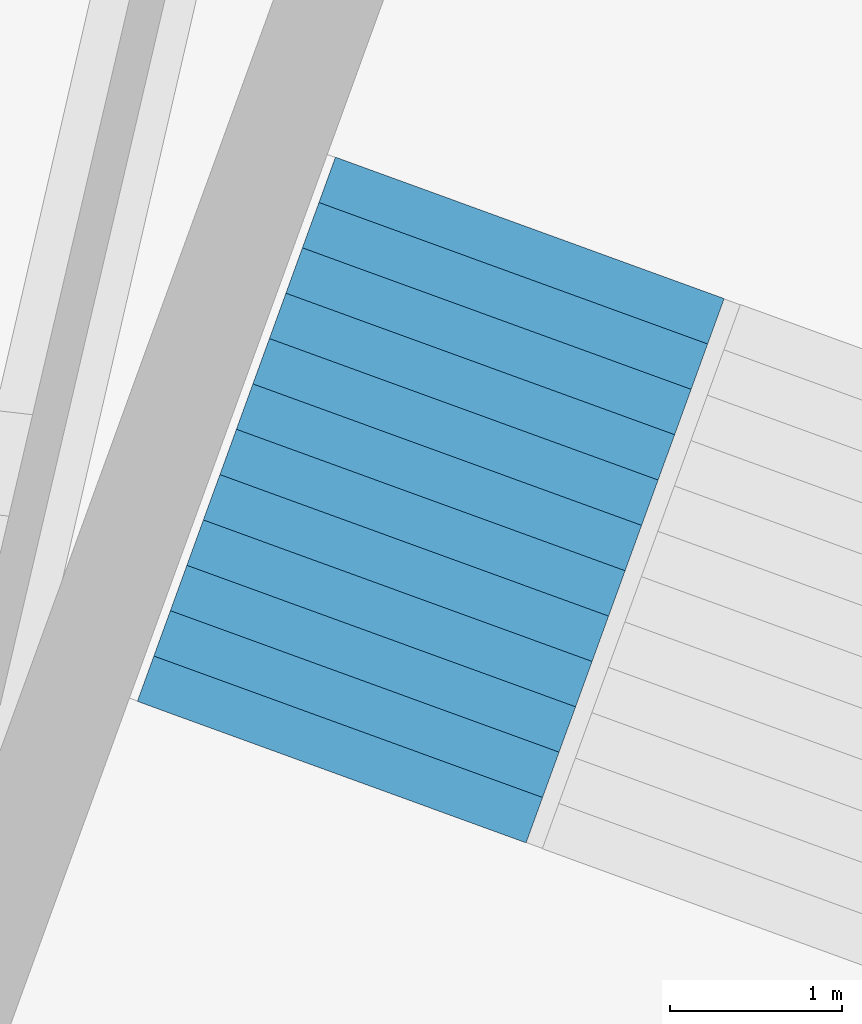
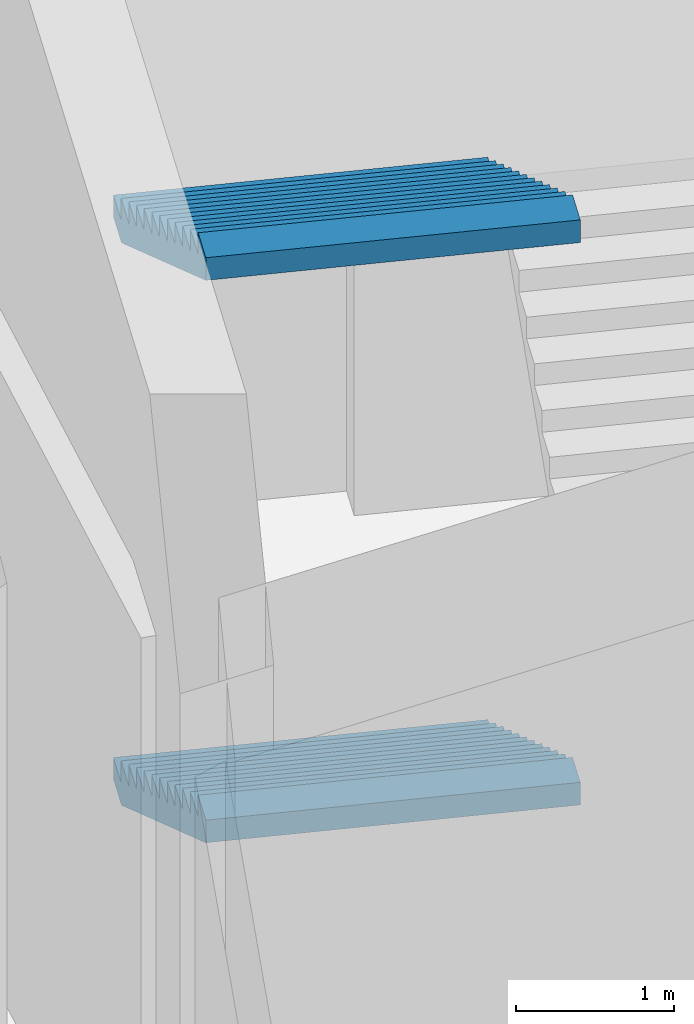
# One storey, part 35 of 47: 2 stair flights, 1 element without a shape of its own.
"""IFC4 building model written with IfcOpenShell, lengths in metres."""

import ifcopenshell
import ifcopenshell.guid

model = None  # the IFC model being written
_history = None  # IfcOwnerHistory: only IFC2X3 demands one
_inside = {}  # id of a spatial element -> (the spatial element, [elements in it])
_under = {}  # id of a project, library or spatial element -> (it, [spatial elements below it])
_declared = {}  # id of a project -> (the project, [libraries it declares])
_typed = {}  # id of a type object -> (the type object, [elements of that type])
_made_of = {}  # id of a material, layer set ... -> (it, [elements and type objects made of it])


def new_model(schema):
    """Start an empty IFC model of exactly this schema.

    Asked for "IFC4X3", IfcOpenShell would pick the latest addendum, in which some entities
    have other attributes; the version numbers below select the first issue.
    IFC2X3 requires an IfcOwnerHistory on every rooted entity: one is made here for all.
    """
    global model, _history
    if schema == "IFC4X3":
        model = ifcopenshell.file(schema_version=(4, 3, 0, 0))
    else:
        model = ifcopenshell.file(schema=schema)
    _inside.clear()
    _under.clear()
    _declared.clear()
    _typed.clear()
    _made_of.clear()
    _history = None
    if model.schema == "IFC2X3":
        org = make("IfcOrganization", Name="unknown")
        user = make(
            "IfcPersonAndOrganization",
            ThePerson=make("IfcPerson", FamilyName="unknown"),
            TheOrganization=org,
        )
        app = make(
            "IfcApplication",
            ApplicationDeveloper=org,
            Version="unknown",
            ApplicationFullName="unknown",
            ApplicationIdentifier="unknown",
        )
        _history = make(
            "IfcOwnerHistory",
            OwningUser=user,
            OwningApplication=app,
            ChangeAction="ADDED",
            CreationDate=0,
        )
    return model


def make(cls, **values):
    """One entity of the class cls with the attributes given. An attribute that is None is left unset."""
    return model.create_entity(
        cls, **{name: value for name, value in values.items() if value is not None}
    )


def rooted(cls, **values):
    """An entity with a GlobalId (a new one), such as an element, a storey or a relation."""
    return make(cls, GlobalId=ifcopenshell.guid.new(), OwnerHistory=_history, **values)


def si_unit(unit_type, name, prefix=None):
    """IfcSIUnit, for example si_unit("LENGTHUNIT", "METRE", prefix="MILLI")."""
    return make("IfcSIUnit", UnitType=unit_type, Prefix=prefix, Name=name)


def assignment(units):
    """IfcUnitAssignment: the units of a project."""
    return None if units is None else make("IfcUnitAssignment", Units=units)


def point(xyz):
    """IfcCartesianPoint."""
    return None if xyz is None else make("IfcCartesianPoint", Coordinates=xyz)


def direction(xyz):
    """IfcDirection."""
    return None if xyz is None else make("IfcDirection", DirectionRatios=xyz)


def frame(location, z_axis=None, x_axis=None):
    """IfcAxis2Placement3D, a coordinate frame: its origin and axes. An axis left out is left unset."""
    return make(
        "IfcAxis2Placement3D",
        Location=point(location),
        Axis=direction(z_axis),
        RefDirection=direction(x_axis),
    )


def origin():
    """The frame at (0, 0, 0) with its axes left unset."""
    return frame((0.0, 0.0, 0.0))


def place(relative_to, where):
    """IfcLocalPlacement: puts the frame where relative to a parent placement (None: the world)."""
    return make(
        "IfcLocalPlacement", PlacementRelTo=relative_to, RelativePlacement=where
    )


def context(
    kind, dimensions, precision=None, world=None, true_north=None, identifier=None
):
    """IfcGeometricRepresentationContext, for example the 3D "Model" context."""
    return make(
        "IfcGeometricRepresentationContext",
        ContextIdentifier=identifier,
        ContextType=kind,
        CoordinateSpaceDimension=dimensions,
        Precision=precision,
        WorldCoordinateSystem=world,
        TrueNorth=true_north,
    )


def subcontext(parent, identifier, kind, view, scale=None):
    """IfcGeometricRepresentationSubContext, for example "Body" below "Model"."""
    return make(
        "IfcGeometricRepresentationSubContext",
        ContextIdentifier=identifier,
        ContextType=kind,
        ParentContext=parent,
        TargetScale=scale,
        TargetView=view,
    )


def project(units=None, contexts=None):
    """IfcProject with its units and contexts."""
    return rooted(
        "IfcProject",
        Name="project",
        RepresentationContexts=contexts,
        UnitsInContext=assignment(units),
    )


def spatial(cls, under=None, at=None, **own):
    """A site, building, storey or space (cls), placed at a placement, below another one or the project."""
    s = rooted(cls, ObjectPlacement=at, **own)
    if under is not None:
        _under.setdefault(under.id(), (under, []))[1].append(s)
    return s


def point_list(points):
    """IfcCartesianPointList2D or 3D."""
    cls = (
        "IfcCartesianPointList2D" if len(points[0]) == 2 else "IfcCartesianPointList3D"
    )
    return make(cls, CoordList=points)


def triangles(points, corners, closed=None, point_numbers=None):
    """IfcTriangulatedFaceSet: each triangle names its three corners, points numbered from 1."""
    return make(
        "IfcTriangulatedFaceSet",
        Coordinates=point_list(points),
        Closed=closed,
        CoordIndex=corners,
        PnIndex=point_numbers,
    )


def shape(context_of_items, identifier, shape_type, items):
    """IfcShapeRepresentation: the items that make up one representation, for example the "Body"."""
    return make(
        "IfcShapeRepresentation",
        ContextOfItems=context_of_items,
        RepresentationIdentifier=identifier,
        RepresentationType=shape_type,
        Items=items,
    )


def material(Name=None, Category=None):
    """IfcMaterial."""
    return make("IfcMaterial", Name=Name, Category=Category)


def made_of(thing, what):
    """Note that an element or type object is made of a material, layer set ...; save() writes the relation."""
    if what is not None:
        _made_of.setdefault(what.id(), (what, []))[1].append(thing)
    return thing


def type_object(cls, material=None, **own):
    """A type object (cls), such as IfcWallType, which elements share."""
    return made_of(rooted(cls, **own), material)


def element(
    cls,
    number,
    at=None,
    inside=None,
    cuts=None,
    type_object=None,
    material=None,
    context=None,
    identifier="Body",
    shape_type=None,
    held_by="IfcProductDefinitionShape",
    body=None,
    shapes=None,
    **own,
):
    """One element of the class cls, such as IfcWall. Its Tag is "e" and its number.

    at: its placement. inside: the storey or other place that contains it. cuts: it is an
    opening in that element (IfcRelVoidsElement). A single representation is given by context,
    identifier, shape_type and body (its items); several are given by shapes. held_by: the class
    of the entity that holds the representations. save() writes the other relations.
    """
    e = rooted(cls, Tag="e%d" % number, ObjectPlacement=at, **own)
    if body is not None:
        shapes = [shape(context, identifier, shape_type, body)]
    if shapes is not None:
        e.Representation = make(held_by, Representations=shapes)
    if inside is not None:
        _inside.setdefault(inside.id(), (inside, []))[1].append(e)
    if cuts is not None:
        rooted(
            "IfcRelVoidsElement", RelatingBuildingElement=cuts, RelatedOpeningElement=e
        )
    if type_object is not None:
        _typed.setdefault(type_object.id(), (type_object, []))[1].append(e)
    return made_of(e, material)


def aggregate(whole, parts):
    """IfcRelAggregates: a whole, such as a stair, and the parts it consists of."""
    return rooted("IfcRelAggregates", RelatingObject=whole, RelatedObjects=parts)


def save(model, path):
    """Write the relations noted so far, then the file.

    IfcRelAggregates (storeys below a building ...), IfcRelContainedInSpatialStructure (elements
    in a storey), IfcRelDefinesByType, IfcRelAssociatesMaterial and IfcRelDeclares: one each for
    every whole, place, type object, material and project.
    """
    for whole, parts in _under.values():
        aggregate(whole, parts)
    for where, things in _inside.values():
        rooted(
            "IfcRelContainedInSpatialStructure",
            RelatedElements=things,
            RelatingStructure=where,
        )
    for kind, things in _typed.values():
        rooted("IfcRelDefinesByType", RelatedObjects=things, RelatingType=kind)
    for what, things in _made_of.values():
        rooted("IfcRelAssociatesMaterial", RelatedObjects=things, RelatingMaterial=what)
    for by, libraries in _declared.values():
        rooted("IfcRelDeclares", RelatingContext=by, RelatedDefinitions=libraries)
    model.write(path)


model = new_model("IFC4")

# Units and contexts
model_context = context("Model", 3, precision=1e-05, world=origin(), true_north=direction((0.0, 1.0)))
body_context = subcontext(model_context, "Body", "Model", "MODEL_VIEW")
ifc_project = project(units=[si_unit("LENGTHUNIT", "METRE"), si_unit("AREAUNIT", "SQUARE_METRE"), si_unit("VOLUMEUNIT", "CUBIC_METRE"), si_unit("PLANEANGLEUNIT", "RADIAN"), si_unit("MASSUNIT", "GRAM", prefix="KILO")], contexts=[model_context])

# Site, building, storey
site_placement = place(None, origin())
site = spatial("IfcSite", under=ifc_project, at=site_placement, CompositionType="ELEMENT")
building_placement = place(site_placement, origin())
building = spatial("IfcBuilding", under=site, at=building_placement, Name="Lantaw Convention Tower", CompositionType="ELEMENT")
storey_placement = place(building_placement, origin())
storey = spatial("IfcBuildingStorey", under=building, at=storey_placement, Name="L00", CompositionType="ELEMENT", Elevation=0.0)

# Stair, stair flights
ifc_material = material(Name="Concrete C35/45", Category="concrete")
stair_type = type_object("IfcStairType", Name="Exit stair 2400 riser 166.67 in 3 flights", PredefinedType="HALF_TURN_STAIR", material=ifc_material)
stair_placement = place(storey_placement, origin())
stair = element("IfcStair", 1, at=stair_placement, inside=storey, type_object=stair_type, Name="Podium exit stair P5 L00", PredefinedType="HALF_TURN_STAIR")
stair_flight_type = type_object("IfcStairFlightType", Name="Stair flight 2400 riser 166.67", PredefinedType="STRAIGHT", material=ifc_material)
stair_flight_1_placement = place(storey_placement, frame((9.276123046875, 29.140869140625, 0.0), z_axis=(0.0, 0.0, 1.0), x_axis=(-0.342020143326, -0.939692620786, 0.0)))
stair_flight_1 = element("IfcStairFlight", 2, at=stair_flight_1_placement, type_object=stair_flight_type, Name="P5 flight 1", NumberOfRisers=13, NumberOfTreads=12, PredefinedType="STRAIGHT", RiserHeight=0.166666667, TreadLength=0.28, context=body_context, shape_type="Tessellation", body=[
    triangles([(0.0, 1.199951171875, 0.0), (0.0, 1.199951171875, 0.166666667), (0.28, 1.199951171875, 0.0), (0.28, 1.199951171875, 0.166666667), (0.28, 1.199951171875, 0.333333334), (0.29307345806906815, 1.199951171875, 0.0), (0.29307345806906815, 1.199951171875, 0.333333334), (0.56, 1.199951171875, 0.15888484670522912), (0.56, 1.199951171875, 0.333333334), (0.56, 1.199951171875, 0.500000001), (0.8400000000000001, 1.199951171875, 0.3255515137052291), (0.8400000000000001, 1.199951171875, 0.500000001), (0.8400000000000001, 1.199951171875, 0.666666668), (1.12, 1.199951171875, 0.49221818070522905), (1.12, 1.199951171875, 0.666666668), (1.12, 1.199951171875, 0.833333335), (1.4000000000000001, 1.199951171875, 0.658884847705229), (1.4000000000000001, 1.199951171875, 0.833333335), (1.4000000000000001, 1.199951171875, 1.000000002), (1.6800000000000002, 1.199951171875, 0.825551514705229), (1.6800000000000002, 1.199951171875, 1.000000002), (1.6800000000000002, 1.199951171875, 1.166666669), (1.9600000000000002, 1.199951171875, 0.992218181705229), (1.9600000000000002, 1.199951171875, 1.166666669), (1.9600000000000002, 1.199951171875, 1.333333336), (2.24, 1.199951171875, 1.158884848705229), (2.24, 1.199951171875, 1.333333336), (2.24, 1.199951171875, 1.5000000029999998), (2.5200000000000005, 1.199951171875, 1.325551515705229), (2.5200000000000005, 1.199951171875, 1.5000000029999998), (2.5200000000000005, 1.199951171875, 1.66666667), (2.8000000000000003, 1.199951171875, 1.492218182705229), (2.8000000000000003, 1.199951171875, 1.66666667), (2.8000000000000003, 1.199951171875, 1.833333337), (3.08, 1.199951171875, 1.6588848497052289), (3.08, 1.199951171875, 1.833333337), (3.08, 1.199951171875, 2.000000004), (3.3600000000000003, 1.199951171875, 1.825551516705229), (3.3600000000000003, 1.199951171875, 2.000000004), (0.0, -1.199951171875, 0.0), (0.0, -1.199951171875, 0.166666667), (0.28, -1.199951171875, 0.0), (0.28, -1.199951171875, 0.166666667), (0.28, -1.199951171875, 0.333333334), (0.29307345806906815, -1.199951171875, 0.0), (0.29307345806906815, -1.199951171875, 0.333333334), (0.56, -1.199951171875, 0.15888484670522912), (0.56, -1.199951171875, 0.333333334), (0.56, -1.199951171875, 0.500000001), (0.8400000000000001, -1.199951171875, 0.3255515137052291), (0.8400000000000001, -1.199951171875, 0.500000001), (0.8400000000000001, -1.199951171875, 0.666666668), (1.12, -1.199951171875, 0.49221818070522905), (1.12, -1.199951171875, 0.666666668), (1.12, -1.199951171875, 0.833333335), (1.4000000000000001, -1.199951171875, 0.658884847705229), (1.4000000000000001, -1.199951171875, 0.833333335), (1.4000000000000001, -1.199951171875, 1.000000002), (1.6800000000000002, -1.199951171875, 0.825551514705229), (1.6800000000000002, -1.199951171875, 1.000000002), (1.6800000000000002, -1.199951171875, 1.166666669), (1.9600000000000002, -1.199951171875, 0.992218181705229), (1.9600000000000002, -1.199951171875, 1.166666669), (1.9600000000000002, -1.199951171875, 1.333333336), (2.24, -1.199951171875, 1.158884848705229), (2.24, -1.199951171875, 1.333333336), (2.24, -1.199951171875, 1.5000000029999998), (2.5200000000000005, -1.199951171875, 1.325551515705229), (2.5200000000000005, -1.199951171875, 1.5000000029999998), (2.5200000000000005, -1.199951171875, 1.66666667), (2.8000000000000003, -1.199951171875, 1.492218182705229), (2.8000000000000003, -1.199951171875, 1.66666667), (2.8000000000000003, -1.199951171875, 1.833333337), (3.08, -1.199951171875, 1.6588848497052289), (3.08, -1.199951171875, 1.833333337), (3.08, -1.199951171875, 2.000000004), (3.3600000000000003, -1.199951171875, 1.825551516705229), (3.3600000000000003, -1.199951171875, 2.000000004), (0.0, 0.239990234375, 0.166666667), (0.0, 0.239990234375, 0.0), (0.0, 0.0, 0.166666667), (0.0, 0.0, 0.0), (0.0, -0.239990234375, 0.166666667), (0.0, -0.239990234375, 0.0), (0.28, 0.239990234375, 0.333333334), (0.28, 0.239990234375, 0.166666667), (0.28, 0.0, 0.333333334), (0.28, 0.0, 0.166666667), (0.28, -0.239990234375, 0.333333334), (0.28, -0.239990234375, 0.166666667), (0.56, 0.239990234375, 0.500000001), (0.56, 0.239990234375, 0.333333334), (0.56, 0.0, 0.500000001), (0.56, 0.0, 0.333333334), (0.56, -0.239990234375, 0.500000001), (0.56, -0.239990234375, 0.333333334), (0.8400000000000001, 0.239990234375, 0.666666668), (0.8400000000000001, 0.239990234375, 0.500000001), (0.8400000000000001, 0.0, 0.666666668), (0.8400000000000001, 0.0, 0.500000001), (0.8400000000000001, -0.239990234375, 0.666666668), (0.8400000000000001, -0.239990234375, 0.500000001), (1.12, 0.239990234375, 0.833333335), (1.12, 0.239990234375, 0.666666668), (1.12, 0.0, 0.833333335), (1.12, 0.0, 0.666666668), (1.12, -0.239990234375, 0.833333335), (1.12, -0.239990234375, 0.666666668), (1.4000000000000001, 0.239990234375, 1.000000002), (1.4000000000000001, 0.239990234375, 0.833333335), (1.4000000000000001, 0.0, 1.000000002), (1.4000000000000001, 0.0, 0.833333335), (1.4000000000000001, -0.239990234375, 1.000000002), (1.4000000000000001, -0.239990234375, 0.833333335), (1.6800000000000002, 0.239990234375, 1.166666669), (1.6800000000000002, 0.239990234375, 1.000000002), (1.6800000000000002, 0.0, 1.166666669), (1.6800000000000002, 0.0, 1.000000002), (1.6800000000000002, -0.239990234375, 1.166666669), (1.6800000000000002, -0.239990234375, 1.000000002), (1.9600000000000002, 0.239990234375, 1.333333336), (1.9600000000000002, 0.239990234375, 1.166666669), (1.9600000000000002, 0.0, 1.333333336), (1.9600000000000002, 0.0, 1.166666669), (1.9600000000000002, -0.239990234375, 1.333333336), (1.9600000000000002, -0.239990234375, 1.166666669), (2.24, 0.239990234375, 1.5000000029999998), (2.24, 0.239990234375, 1.333333336), (2.24, 0.0, 1.5000000029999998), (2.24, 0.0, 1.333333336), (2.24, -0.239990234375, 1.5000000029999998), (2.24, -0.239990234375, 1.333333336), (2.5200000000000005, 0.239990234375, 1.66666667), (2.5200000000000005, 0.239990234375, 1.5000000029999998), (2.5200000000000005, 0.0, 1.66666667), (2.5200000000000005, 0.0, 1.5000000029999998), (2.5200000000000005, -0.239990234375, 1.66666667), (2.5200000000000005, -0.239990234375, 1.5000000029999998), (2.8000000000000003, 0.239990234375, 1.833333337), (2.8000000000000003, 0.239990234375, 1.66666667), (2.8000000000000003, 0.0, 1.833333337), (2.8000000000000003, 0.0, 1.66666667), (2.8000000000000003, -0.239990234375, 1.833333337), (2.8000000000000003, -0.239990234375, 1.66666667), (3.08, 0.239990234375, 2.000000004), (3.08, 0.239990234375, 1.833333337), (3.08, 0.0, 2.000000004), (3.08, 0.0, 1.833333337), (3.08, -0.239990234375, 2.000000004), (3.08, -0.239990234375, 1.833333337), (0.29307345806906815, 0.239990234375, 0.333333334), (0.29307345806906815, 0.0, 0.333333334), (0.29307345806906815, -0.239990234375, 0.333333334), (3.3600000000000003, 0.239990234375, 2.000000004), (3.3600000000000003, 0.0, 2.000000004), (3.3600000000000003, -0.239990234375, 2.000000004), (3.3600000000000003, 0.239990234375, 1.8255515167052292), (3.3600000000000003, 0.0, 1.8255515167052292), (3.3600000000000003, -0.239990234375, 1.8255515167052292), (3.08, 0.239990234375, 1.6588848497052289), (3.08, 0.0, 1.6588848497052289), (3.08, -0.239990234375, 1.6588848497052289), (2.8000000000000003, 0.239990234375, 1.492218182705229), (2.8000000000000003, 0.0, 1.492218182705229), (2.8000000000000003, -0.239990234375, 1.492218182705229), (2.5200000000000005, 0.239990234375, 1.325551515705229), (2.5200000000000005, 0.0, 1.325551515705229), (2.5200000000000005, -0.239990234375, 1.325551515705229), (2.24, 0.239990234375, 1.158884848705229), (2.24, 0.0, 1.158884848705229), (2.24, -0.239990234375, 1.158884848705229), (1.9600000000000002, 0.239990234375, 0.992218181705229), (1.9600000000000002, 0.0, 0.992218181705229), (1.9600000000000002, -0.239990234375, 0.992218181705229), (1.6800000000000002, 0.239990234375, 0.825551514705229), (1.6800000000000002, 0.0, 0.825551514705229), (1.6800000000000002, -0.239990234375, 0.825551514705229), (1.4000000000000001, 0.239990234375, 0.658884847705229), (1.4000000000000001, 0.0, 0.658884847705229), (1.4000000000000001, -0.239990234375, 0.658884847705229), (1.12, 0.239990234375, 0.49221818070522905), (1.12, 0.0, 0.49221818070522905), (1.12, -0.239990234375, 0.49221818070522905), (0.8400000000000001, 0.239990234375, 0.3255515137052291), (0.8400000000000001, 0.0, 0.3255515137052291), (0.8400000000000001, -0.239990234375, 0.3255515137052291), (0.56, 0.239990234375, 0.15888484670522912), (0.56, 0.0, 0.15888484670522912), (0.56, -0.239990234375, 0.15888484670522912), (0.29307345806906815, 0.239990234375, 0.0), (0.29307345806906815, 0.0, 0.0), (0.29307345806906815, -0.239990234375, 0.0), (0.28, 0.239990234375, 0.0), (0.28, 0.0, 0.0), (0.28, -0.239990234375, 0.0)], [[1, 4, 3], [1, 2, 4], [3, 4, 6], [4, 7, 6], [4, 5, 7], [6, 9, 8], [6, 7, 9], [8, 9, 11], [9, 12, 11], [9, 10, 12], [11, 12, 14], [12, 15, 14], [12, 13, 15], [14, 15, 17], [15, 18, 17], [15, 16, 18], [17, 18, 20], [18, 21, 20], [18, 19, 21], [20, 21, 23], [21, 24, 23], [21, 22, 24], [23, 24, 26], [24, 27, 26], [24, 25, 27], [26, 27, 29], [27, 30, 29], [27, 28, 30], [29, 30, 32], [30, 33, 32], [30, 31, 33], [32, 33, 35], [33, 36, 35], [33, 34, 36], [35, 36, 38], [36, 39, 38], [36, 37, 39], [40, 42, 43], [40, 43, 41], [42, 45, 43], [43, 45, 46], [43, 46, 44], [45, 47, 48], [45, 48, 46], [47, 50, 48], [48, 50, 51], [48, 51, 49], [50, 53, 51], [51, 53, 54], [51, 54, 52], [53, 56, 54], [54, 56, 57], [54, 57, 55], [56, 59, 57], [57, 59, 60], [57, 60, 58], [59, 62, 60], [60, 62, 63], [60, 63, 61], [62, 65, 63], [63, 65, 66], [63, 66, 64], [65, 68, 66], [66, 68, 69], [66, 69, 67], [68, 71, 69], [69, 71, 72], [69, 72, 70], [71, 74, 72], [72, 74, 75], [72, 75, 73], [74, 77, 75], [75, 77, 78], [75, 78, 76], [1, 79, 2], [1, 80, 79], [80, 81, 79], [80, 82, 81], [82, 83, 81], [82, 84, 83], [84, 41, 83], [84, 40, 41], [4, 85, 5], [4, 86, 85], [86, 87, 85], [86, 88, 87], [88, 89, 87], [88, 90, 89], [90, 44, 89], [90, 43, 44], [9, 91, 10], [9, 92, 91], [92, 93, 91], [92, 94, 93], [94, 95, 93], [94, 96, 95], [96, 49, 95], [96, 48, 49], [12, 97, 13], [12, 98, 97], [98, 99, 97], [98, 100, 99], [100, 101, 99], [100, 102, 101], [102, 52, 101], [102, 51, 52], [15, 103, 16], [15, 104, 103], [104, 105, 103], [104, 106, 105], [106, 107, 105], [106, 108, 107], [108, 55, 107], [108, 54, 55], [18, 109, 19], [18, 110, 109], [110, 111, 109], [110, 112, 111], [112, 113, 111], [112, 114, 113], [114, 58, 113], [114, 57, 58], [21, 115, 22], [21, 116, 115], [116, 117, 115], [116, 118, 117], [118, 119, 117], [118, 120, 119], [120, 61, 119], [120, 60, 61], [24, 121, 25], [24, 122, 121], [122, 123, 121], [122, 124, 123], [124, 125, 123], [124, 126, 125], [126, 64, 125], [126, 63, 64], [27, 127, 28], [27, 128, 127], [128, 129, 127], [128, 130, 129], [130, 131, 129], [130, 132, 131], [132, 67, 131], [132, 66, 67], [30, 133, 31], [30, 134, 133], [134, 135, 133], [134, 136, 135], [136, 137, 135], [136, 138, 137], [138, 70, 137], [138, 69, 70], [33, 139, 34], [33, 140, 139], [140, 141, 139], [140, 142, 141], [142, 143, 141], [142, 144, 143], [144, 73, 143], [144, 72, 73], [36, 145, 37], [36, 146, 145], [146, 147, 145], [146, 148, 147], [148, 149, 147], [148, 150, 149], [150, 76, 149], [150, 75, 76], [2, 86, 4], [2, 79, 86], [79, 88, 86], [79, 81, 88], [81, 90, 88], [81, 83, 90], [83, 43, 90], [83, 41, 43], [5, 151, 7], [5, 85, 151], [85, 152, 151], [85, 87, 152], [87, 153, 152], [87, 89, 153], [89, 46, 153], [89, 44, 46], [7, 92, 9], [7, 151, 92], [151, 94, 92], [151, 152, 94], [152, 96, 94], [152, 153, 96], [153, 48, 96], [153, 46, 48], [10, 98, 12], [10, 91, 98], [91, 100, 98], [91, 93, 100], [93, 102, 100], [93, 95, 102], [95, 51, 102], [95, 49, 51], [13, 104, 15], [13, 97, 104], [97, 106, 104], [97, 99, 106], [99, 108, 106], [99, 101, 108], [101, 54, 108], [101, 52, 54], [16, 110, 18], [16, 103, 110], [103, 112, 110], [103, 105, 112], [105, 114, 112], [105, 107, 114], [107, 57, 114], [107, 55, 57], [19, 116, 21], [19, 109, 116], [109, 118, 116], [109, 111, 118], [111, 120, 118], [111, 113, 120], [113, 60, 120], [113, 58, 60], [22, 122, 24], [22, 115, 122], [115, 124, 122], [115, 117, 124], [117, 126, 124], [117, 119, 126], [119, 63, 126], [119, 61, 63], [25, 128, 27], [25, 121, 128], [121, 130, 128], [121, 123, 130], [123, 132, 130], [123, 125, 132], [125, 66, 132], [125, 64, 66], [28, 134, 30], [28, 127, 134], [127, 136, 134], [127, 129, 136], [129, 138, 136], [129, 131, 138], [131, 69, 138], [131, 67, 69], [31, 140, 33], [31, 133, 140], [133, 142, 140], [133, 135, 142], [135, 144, 142], [135, 137, 144], [137, 72, 144], [137, 70, 72], [34, 146, 36], [34, 139, 146], [139, 148, 146], [139, 141, 148], [141, 150, 148], [141, 143, 150], [143, 75, 150], [143, 73, 75], [37, 154, 39], [37, 145, 154], [145, 155, 154], [145, 147, 155], [147, 156, 155], [147, 149, 156], [149, 78, 156], [149, 76, 78], [39, 157, 38], [39, 154, 157], [154, 158, 157], [154, 155, 158], [155, 159, 158], [155, 156, 159], [156, 77, 159], [156, 78, 77], [38, 160, 35], [38, 157, 160], [157, 161, 160], [157, 158, 161], [158, 162, 161], [158, 159, 162], [159, 74, 162], [159, 77, 74], [35, 163, 32], [35, 160, 163], [160, 164, 163], [160, 161, 164], [161, 165, 164], [161, 162, 165], [162, 71, 165], [162, 74, 71], [32, 166, 29], [32, 163, 166], [163, 167, 166], [163, 164, 167], [164, 168, 167], [164, 165, 168], [165, 68, 168], [165, 71, 68], [29, 169, 26], [29, 166, 169], [166, 170, 169], [166, 167, 170], [167, 171, 170], [167, 168, 171], [168, 65, 171], [168, 68, 65], [26, 172, 23], [26, 169, 172], [169, 173, 172], [169, 170, 173], [170, 174, 173], [170, 171, 174], [171, 62, 174], [171, 65, 62], [23, 175, 20], [23, 172, 175], [172, 176, 175], [172, 173, 176], [173, 177, 176], [173, 174, 177], [174, 59, 177], [174, 62, 59], [20, 178, 17], [20, 175, 178], [175, 179, 178], [175, 176, 179], [176, 180, 179], [176, 177, 180], [177, 56, 180], [177, 59, 56], [17, 181, 14], [17, 178, 181], [178, 182, 181], [178, 179, 182], [179, 183, 182], [179, 180, 183], [180, 53, 183], [180, 56, 53], [14, 184, 11], [14, 181, 184], [181, 185, 184], [181, 182, 185], [182, 186, 185], [182, 183, 186], [183, 50, 186], [183, 53, 50], [11, 187, 8], [11, 184, 187], [184, 188, 187], [184, 185, 188], [185, 189, 188], [185, 186, 189], [186, 47, 189], [186, 50, 47], [8, 190, 6], [8, 187, 190], [187, 191, 190], [187, 188, 191], [188, 192, 191], [188, 189, 192], [189, 45, 192], [189, 47, 45], [6, 193, 3], [6, 190, 193], [190, 194, 193], [190, 191, 194], [191, 195, 194], [191, 192, 195], [192, 42, 195], [192, 45, 42], [3, 80, 1], [3, 193, 80], [193, 82, 80], [193, 194, 82], [194, 84, 82], [194, 195, 84], [195, 40, 84], [195, 42, 40]], closed=True),
])
stair_flight_2_placement = place(storey_placement, frame((9.276123046875, 29.140869140625, 4.333251953125), z_axis=(0.0, 0.0, 1.0), x_axis=(-0.342020143326, -0.939692620786, 0.0)))
stair_flight_2 = element("IfcStairFlight", 3, at=stair_flight_2_placement, type_object=stair_flight_type, Name="P5 flight 3", NumberOfRisers=13, NumberOfTreads=12, PredefinedType="STRAIGHT", RiserHeight=0.166666667, TreadLength=0.28, context=body_context, shape_type="Tessellation", body=[
    triangles([(0.0, 1.199951171875, 0.0), (0.0, 1.199951171875, 0.166666667), (0.28, 1.199951171875, 0.0), (0.28, 1.199951171875, 0.166666667), (0.28, 1.199951171875, 0.333333334), (0.29307345806906815, 1.199951171875, 0.0), (0.29307345806906815, 1.199951171875, 0.333333334), (0.56, 1.199951171875, 0.15888484670522912), (0.56, 1.199951171875, 0.333333334), (0.56, 1.199951171875, 0.500000001), (0.8400000000000001, 1.199951171875, 0.3255515137052291), (0.8400000000000001, 1.199951171875, 0.500000001), (0.8400000000000001, 1.199951171875, 0.666666668), (1.12, 1.199951171875, 0.49221818070522905), (1.12, 1.199951171875, 0.666666668), (1.12, 1.199951171875, 0.833333335), (1.4000000000000001, 1.199951171875, 0.658884847705229), (1.4000000000000001, 1.199951171875, 0.833333335), (1.4000000000000001, 1.199951171875, 1.000000002), (1.6800000000000002, 1.199951171875, 0.825551514705229), (1.6800000000000002, 1.199951171875, 1.000000002), (1.6800000000000002, 1.199951171875, 1.166666669), (1.9600000000000002, 1.199951171875, 0.992218181705229), (1.9600000000000002, 1.199951171875, 1.166666669), (1.9600000000000002, 1.199951171875, 1.333333336), (2.24, 1.199951171875, 1.158884848705229), (2.24, 1.199951171875, 1.333333336), (2.24, 1.199951171875, 1.5000000029999998), (2.5200000000000005, 1.199951171875, 1.325551515705229), (2.5200000000000005, 1.199951171875, 1.5000000029999998), (2.5200000000000005, 1.199951171875, 1.66666667), (2.8000000000000003, 1.199951171875, 1.492218182705229), (2.8000000000000003, 1.199951171875, 1.66666667), (2.8000000000000003, 1.199951171875, 1.833333337), (3.08, 1.199951171875, 1.6588848497052289), (3.08, 1.199951171875, 1.833333337), (3.08, 1.199951171875, 2.000000004), (3.3600000000000003, 1.199951171875, 1.825551516705229), (3.3600000000000003, 1.199951171875, 2.000000004), (0.0, -1.199951171875, 0.0), (0.0, -1.199951171875, 0.166666667), (0.28, -1.199951171875, 0.0), (0.28, -1.199951171875, 0.166666667), (0.28, -1.199951171875, 0.333333334), (0.29307345806906815, -1.199951171875, 0.0), (0.29307345806906815, -1.199951171875, 0.333333334), (0.56, -1.199951171875, 0.15888484670522912), (0.56, -1.199951171875, 0.333333334), (0.56, -1.199951171875, 0.500000001), (0.8400000000000001, -1.199951171875, 0.3255515137052291), (0.8400000000000001, -1.199951171875, 0.500000001), (0.8400000000000001, -1.199951171875, 0.666666668), (1.12, -1.199951171875, 0.49221818070522905), (1.12, -1.199951171875, 0.666666668), (1.12, -1.199951171875, 0.833333335), (1.4000000000000001, -1.199951171875, 0.658884847705229), (1.4000000000000001, -1.199951171875, 0.833333335), (1.4000000000000001, -1.199951171875, 1.000000002), (1.6800000000000002, -1.199951171875, 0.825551514705229), (1.6800000000000002, -1.199951171875, 1.000000002), (1.6800000000000002, -1.199951171875, 1.166666669), (1.9600000000000002, -1.199951171875, 0.992218181705229), (1.9600000000000002, -1.199951171875, 1.166666669), (1.9600000000000002, -1.199951171875, 1.333333336), (2.24, -1.199951171875, 1.158884848705229), (2.24, -1.199951171875, 1.333333336), (2.24, -1.199951171875, 1.5000000029999998), (2.5200000000000005, -1.199951171875, 1.325551515705229), (2.5200000000000005, -1.199951171875, 1.5000000029999998), (2.5200000000000005, -1.199951171875, 1.66666667), (2.8000000000000003, -1.199951171875, 1.492218182705229), (2.8000000000000003, -1.199951171875, 1.66666667), (2.8000000000000003, -1.199951171875, 1.833333337), (3.08, -1.199951171875, 1.6588848497052289), (3.08, -1.199951171875, 1.833333337), (3.08, -1.199951171875, 2.000000004), (3.3600000000000003, -1.199951171875, 1.825551516705229), (3.3600000000000003, -1.199951171875, 2.000000004), (0.0, 0.239990234375, 0.166666667), (0.0, 0.239990234375, 0.0), (0.0, 0.0, 0.166666667), (0.0, 0.0, 0.0), (0.0, -0.239990234375, 0.166666667), (0.0, -0.239990234375, 0.0), (0.28, 0.239990234375, 0.333333334), (0.28, 0.239990234375, 0.166666667), (0.28, 0.0, 0.333333334), (0.28, 0.0, 0.166666667), (0.28, -0.239990234375, 0.333333334), (0.28, -0.239990234375, 0.166666667), (0.56, 0.239990234375, 0.500000001), (0.56, 0.239990234375, 0.333333334), (0.56, 0.0, 0.500000001), (0.56, 0.0, 0.333333334), (0.56, -0.239990234375, 0.500000001), (0.56, -0.239990234375, 0.333333334), (0.8400000000000001, 0.239990234375, 0.666666668), (0.8400000000000001, 0.239990234375, 0.500000001), (0.8400000000000001, 0.0, 0.666666668), (0.8400000000000001, 0.0, 0.500000001), (0.8400000000000001, -0.239990234375, 0.666666668), (0.8400000000000001, -0.239990234375, 0.500000001), (1.12, 0.239990234375, 0.833333335), (1.12, 0.239990234375, 0.666666668), (1.12, 0.0, 0.833333335), (1.12, 0.0, 0.666666668), (1.12, -0.239990234375, 0.833333335), (1.12, -0.239990234375, 0.666666668), (1.4000000000000001, 0.239990234375, 1.000000002), (1.4000000000000001, 0.239990234375, 0.833333335), (1.4000000000000001, 0.0, 1.000000002), (1.4000000000000001, 0.0, 0.833333335), (1.4000000000000001, -0.239990234375, 1.000000002), (1.4000000000000001, -0.239990234375, 0.833333335), (1.6800000000000002, 0.239990234375, 1.166666669), (1.6800000000000002, 0.239990234375, 1.000000002), (1.6800000000000002, 0.0, 1.166666669), (1.6800000000000002, 0.0, 1.000000002), (1.6800000000000002, -0.239990234375, 1.166666669), (1.6800000000000002, -0.239990234375, 1.000000002), (1.9600000000000002, 0.239990234375, 1.333333336), (1.9600000000000002, 0.239990234375, 1.166666669), (1.9600000000000002, 0.0, 1.333333336), (1.9600000000000002, 0.0, 1.166666669), (1.9600000000000002, -0.239990234375, 1.333333336), (1.9600000000000002, -0.239990234375, 1.166666669), (2.24, 0.239990234375, 1.5000000029999998), (2.24, 0.239990234375, 1.333333336), (2.24, 0.0, 1.5000000029999998), (2.24, 0.0, 1.333333336), (2.24, -0.239990234375, 1.5000000029999998), (2.24, -0.239990234375, 1.333333336), (2.5200000000000005, 0.239990234375, 1.66666667), (2.5200000000000005, 0.239990234375, 1.5000000029999998), (2.5200000000000005, 0.0, 1.66666667), (2.5200000000000005, 0.0, 1.5000000029999998), (2.5200000000000005, -0.239990234375, 1.66666667), (2.5200000000000005, -0.239990234375, 1.5000000029999998), (2.8000000000000003, 0.239990234375, 1.833333337), (2.8000000000000003, 0.239990234375, 1.66666667), (2.8000000000000003, 0.0, 1.833333337), (2.8000000000000003, 0.0, 1.66666667), (2.8000000000000003, -0.239990234375, 1.833333337), (2.8000000000000003, -0.239990234375, 1.66666667), (3.08, 0.239990234375, 2.000000004), (3.08, 0.239990234375, 1.833333337), (3.08, 0.0, 2.000000004), (3.08, 0.0, 1.833333337), (3.08, -0.239990234375, 2.000000004), (3.08, -0.239990234375, 1.833333337), (0.29307345806906815, 0.239990234375, 0.333333334), (0.29307345806906815, 0.0, 0.333333334), (0.29307345806906815, -0.239990234375, 0.333333334), (3.3600000000000003, 0.239990234375, 2.000000004), (3.3600000000000003, 0.0, 2.000000004), (3.3600000000000003, -0.239990234375, 2.000000004), (3.3600000000000003, 0.239990234375, 1.8255515167052292), (3.3600000000000003, 0.0, 1.8255515167052292), (3.3600000000000003, -0.239990234375, 1.8255515167052292), (3.08, 0.239990234375, 1.6588848497052289), (3.08, 0.0, 1.6588848497052289), (3.08, -0.239990234375, 1.6588848497052289), (2.8000000000000003, 0.239990234375, 1.492218182705229), (2.8000000000000003, 0.0, 1.492218182705229), (2.8000000000000003, -0.239990234375, 1.492218182705229), (2.5200000000000005, 0.239990234375, 1.325551515705229), (2.5200000000000005, 0.0, 1.325551515705229), (2.5200000000000005, -0.239990234375, 1.325551515705229), (2.24, 0.239990234375, 1.158884848705229), (2.24, 0.0, 1.158884848705229), (2.24, -0.239990234375, 1.158884848705229), (1.9600000000000002, 0.239990234375, 0.992218181705229), (1.9600000000000002, 0.0, 0.992218181705229), (1.9600000000000002, -0.239990234375, 0.992218181705229), (1.6800000000000002, 0.239990234375, 0.825551514705229), (1.6800000000000002, 0.0, 0.825551514705229), (1.6800000000000002, -0.239990234375, 0.825551514705229), (1.4000000000000001, 0.239990234375, 0.658884847705229), (1.4000000000000001, 0.0, 0.658884847705229), (1.4000000000000001, -0.239990234375, 0.658884847705229), (1.12, 0.239990234375, 0.49221818070522905), (1.12, 0.0, 0.49221818070522905), (1.12, -0.239990234375, 0.49221818070522905), (0.8400000000000001, 0.239990234375, 0.3255515137052291), (0.8400000000000001, 0.0, 0.3255515137052291), (0.8400000000000001, -0.239990234375, 0.3255515137052291), (0.56, 0.239990234375, 0.15888484670522912), (0.56, 0.0, 0.15888484670522912), (0.56, -0.239990234375, 0.15888484670522912), (0.29307345806906815, 0.239990234375, 0.0), (0.29307345806906815, 0.0, 0.0), (0.29307345806906815, -0.239990234375, 0.0), (0.28, 0.239990234375, 0.0), (0.28, 0.0, 0.0), (0.28, -0.239990234375, 0.0)], [[1, 4, 3], [1, 2, 4], [3, 4, 6], [4, 7, 6], [4, 5, 7], [6, 9, 8], [6, 7, 9], [8, 9, 11], [9, 12, 11], [9, 10, 12], [11, 12, 14], [12, 15, 14], [12, 13, 15], [14, 15, 17], [15, 18, 17], [15, 16, 18], [17, 18, 20], [18, 21, 20], [18, 19, 21], [20, 21, 23], [21, 24, 23], [21, 22, 24], [23, 24, 26], [24, 27, 26], [24, 25, 27], [26, 27, 29], [27, 30, 29], [27, 28, 30], [29, 30, 32], [30, 33, 32], [30, 31, 33], [32, 33, 35], [33, 36, 35], [33, 34, 36], [35, 36, 38], [36, 39, 38], [36, 37, 39], [40, 42, 43], [40, 43, 41], [42, 45, 43], [43, 45, 46], [43, 46, 44], [45, 47, 48], [45, 48, 46], [47, 50, 48], [48, 50, 51], [48, 51, 49], [50, 53, 51], [51, 53, 54], [51, 54, 52], [53, 56, 54], [54, 56, 57], [54, 57, 55], [56, 59, 57], [57, 59, 60], [57, 60, 58], [59, 62, 60], [60, 62, 63], [60, 63, 61], [62, 65, 63], [63, 65, 66], [63, 66, 64], [65, 68, 66], [66, 68, 69], [66, 69, 67], [68, 71, 69], [69, 71, 72], [69, 72, 70], [71, 74, 72], [72, 74, 75], [72, 75, 73], [74, 77, 75], [75, 77, 78], [75, 78, 76], [1, 79, 2], [1, 80, 79], [80, 81, 79], [80, 82, 81], [82, 83, 81], [82, 84, 83], [84, 41, 83], [84, 40, 41], [4, 85, 5], [4, 86, 85], [86, 87, 85], [86, 88, 87], [88, 89, 87], [88, 90, 89], [90, 44, 89], [90, 43, 44], [9, 91, 10], [9, 92, 91], [92, 93, 91], [92, 94, 93], [94, 95, 93], [94, 96, 95], [96, 49, 95], [96, 48, 49], [12, 97, 13], [12, 98, 97], [98, 99, 97], [98, 100, 99], [100, 101, 99], [100, 102, 101], [102, 52, 101], [102, 51, 52], [15, 103, 16], [15, 104, 103], [104, 105, 103], [104, 106, 105], [106, 107, 105], [106, 108, 107], [108, 55, 107], [108, 54, 55], [18, 109, 19], [18, 110, 109], [110, 111, 109], [110, 112, 111], [112, 113, 111], [112, 114, 113], [114, 58, 113], [114, 57, 58], [21, 115, 22], [21, 116, 115], [116, 117, 115], [116, 118, 117], [118, 119, 117], [118, 120, 119], [120, 61, 119], [120, 60, 61], [24, 121, 25], [24, 122, 121], [122, 123, 121], [122, 124, 123], [124, 125, 123], [124, 126, 125], [126, 64, 125], [126, 63, 64], [27, 127, 28], [27, 128, 127], [128, 129, 127], [128, 130, 129], [130, 131, 129], [130, 132, 131], [132, 67, 131], [132, 66, 67], [30, 133, 31], [30, 134, 133], [134, 135, 133], [134, 136, 135], [136, 137, 135], [136, 138, 137], [138, 70, 137], [138, 69, 70], [33, 139, 34], [33, 140, 139], [140, 141, 139], [140, 142, 141], [142, 143, 141], [142, 144, 143], [144, 73, 143], [144, 72, 73], [36, 145, 37], [36, 146, 145], [146, 147, 145], [146, 148, 147], [148, 149, 147], [148, 150, 149], [150, 76, 149], [150, 75, 76], [2, 86, 4], [2, 79, 86], [79, 88, 86], [79, 81, 88], [81, 90, 88], [81, 83, 90], [83, 43, 90], [83, 41, 43], [5, 151, 7], [5, 85, 151], [85, 152, 151], [85, 87, 152], [87, 153, 152], [87, 89, 153], [89, 46, 153], [89, 44, 46], [7, 92, 9], [7, 151, 92], [151, 94, 92], [151, 152, 94], [152, 96, 94], [152, 153, 96], [153, 48, 96], [153, 46, 48], [10, 98, 12], [10, 91, 98], [91, 100, 98], [91, 93, 100], [93, 102, 100], [93, 95, 102], [95, 51, 102], [95, 49, 51], [13, 104, 15], [13, 97, 104], [97, 106, 104], [97, 99, 106], [99, 108, 106], [99, 101, 108], [101, 54, 108], [101, 52, 54], [16, 110, 18], [16, 103, 110], [103, 112, 110], [103, 105, 112], [105, 114, 112], [105, 107, 114], [107, 57, 114], [107, 55, 57], [19, 116, 21], [19, 109, 116], [109, 118, 116], [109, 111, 118], [111, 120, 118], [111, 113, 120], [113, 60, 120], [113, 58, 60], [22, 122, 24], [22, 115, 122], [115, 124, 122], [115, 117, 124], [117, 126, 124], [117, 119, 126], [119, 63, 126], [119, 61, 63], [25, 128, 27], [25, 121, 128], [121, 130, 128], [121, 123, 130], [123, 132, 130], [123, 125, 132], [125, 66, 132], [125, 64, 66], [28, 134, 30], [28, 127, 134], [127, 136, 134], [127, 129, 136], [129, 138, 136], [129, 131, 138], [131, 69, 138], [131, 67, 69], [31, 140, 33], [31, 133, 140], [133, 142, 140], [133, 135, 142], [135, 144, 142], [135, 137, 144], [137, 72, 144], [137, 70, 72], [34, 146, 36], [34, 139, 146], [139, 148, 146], [139, 141, 148], [141, 150, 148], [141, 143, 150], [143, 75, 150], [143, 73, 75], [37, 154, 39], [37, 145, 154], [145, 155, 154], [145, 147, 155], [147, 156, 155], [147, 149, 156], [149, 78, 156], [149, 76, 78], [39, 157, 38], [39, 154, 157], [154, 158, 157], [154, 155, 158], [155, 159, 158], [155, 156, 159], [156, 77, 159], [156, 78, 77], [38, 160, 35], [38, 157, 160], [157, 161, 160], [157, 158, 161], [158, 162, 161], [158, 159, 162], [159, 74, 162], [159, 77, 74], [35, 163, 32], [35, 160, 163], [160, 164, 163], [160, 161, 164], [161, 165, 164], [161, 162, 165], [162, 71, 165], [162, 74, 71], [32, 166, 29], [32, 163, 166], [163, 167, 166], [163, 164, 167], [164, 168, 167], [164, 165, 168], [165, 68, 168], [165, 71, 68], [29, 169, 26], [29, 166, 169], [166, 170, 169], [166, 167, 170], [167, 171, 170], [167, 168, 171], [168, 65, 171], [168, 68, 65], [26, 172, 23], [26, 169, 172], [169, 173, 172], [169, 170, 173], [170, 174, 173], [170, 171, 174], [171, 62, 174], [171, 65, 62], [23, 175, 20], [23, 172, 175], [172, 176, 175], [172, 173, 176], [173, 177, 176], [173, 174, 177], [174, 59, 177], [174, 62, 59], [20, 178, 17], [20, 175, 178], [175, 179, 178], [175, 176, 179], [176, 180, 179], [176, 177, 180], [177, 56, 180], [177, 59, 56], [17, 181, 14], [17, 178, 181], [178, 182, 181], [178, 179, 182], [179, 183, 182], [179, 180, 183], [180, 53, 183], [180, 56, 53], [14, 184, 11], [14, 181, 184], [181, 185, 184], [181, 182, 185], [182, 186, 185], [182, 183, 186], [183, 50, 186], [183, 53, 50], [11, 187, 8], [11, 184, 187], [184, 188, 187], [184, 185, 188], [185, 189, 188], [185, 186, 189], [186, 47, 189], [186, 50, 47], [8, 190, 6], [8, 187, 190], [187, 191, 190], [187, 188, 191], [188, 192, 191], [188, 189, 192], [189, 45, 192], [189, 47, 45], [6, 193, 3], [6, 190, 193], [190, 194, 193], [190, 191, 194], [191, 195, 194], [191, 192, 195], [192, 42, 195], [192, 45, 42], [3, 80, 1], [3, 193, 80], [193, 82, 80], [193, 194, 82], [194, 84, 82], [194, 195, 84], [195, 40, 84], [195, 42, 40]], closed=True),
])
aggregate(stair, [stair_flight_1, stair_flight_2])

save(model, "model.ifc")
